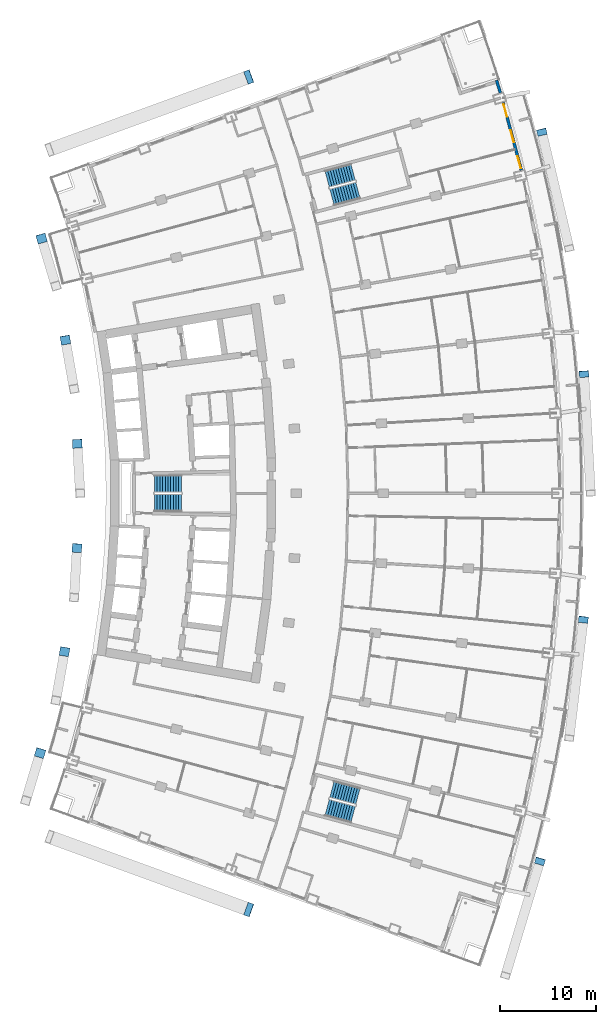
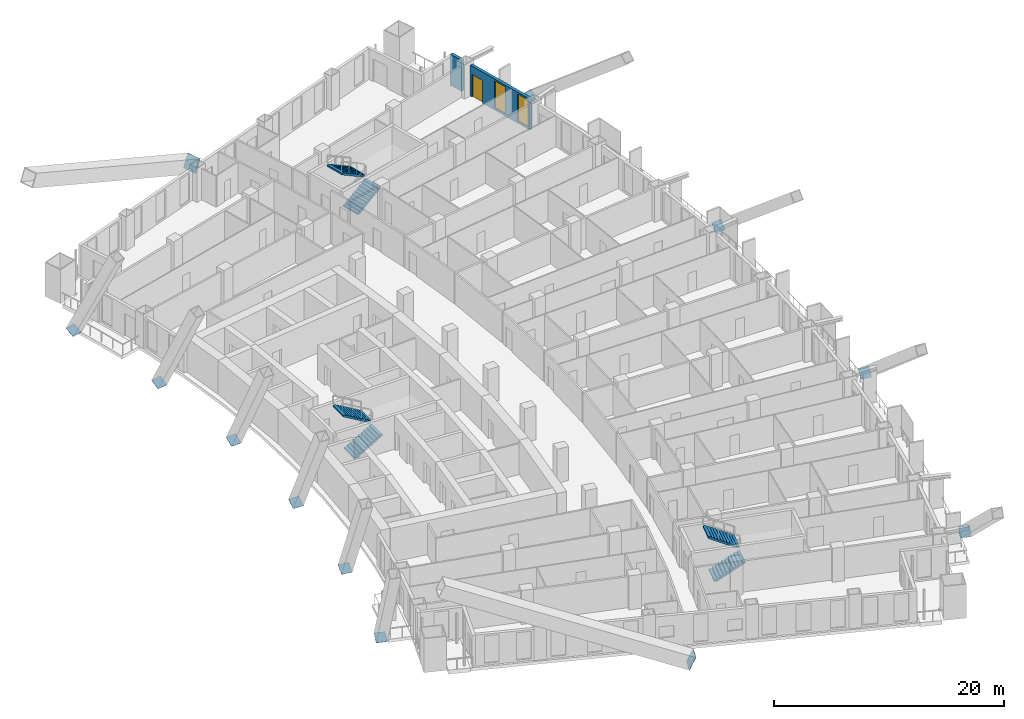
# One storey, part 22 of 25: 12 discrete accessories, 6 stair flights, 2 walls, 2 windows, 1 door, 3 openings, 3 elements without a shape of their own.
"""IFC4 building model written with IfcOpenShell, lengths in metres."""

from ifc_helpers import new_model, si_unit, direction, frame, frame_2d, origin, origin_2d, place, context, subcontext, project, spatial, polyline, rectangle, outline, extrude, material, layer, layer_set, material_profile, profile_set, type_object, element, fill, aggregate, save


model = new_model("IFC4")

# Units and contexts
model_context = context("Model", 3, precision=1e-05, world=origin(), true_north=direction((0.0, 1.0)))
body_context = subcontext(model_context, "Body", "Model", "MODEL_VIEW")
ifc_project = project(units=[si_unit("LENGTHUNIT", "METRE"), si_unit("AREAUNIT", "SQUARE_METRE"), si_unit("VOLUMEUNIT", "CUBIC_METRE"), si_unit("PLANEANGLEUNIT", "RADIAN"), si_unit("MASSUNIT", "GRAM", prefix="KILO")], contexts=[model_context])

# Site, building, storey
site_placement = place(None, origin())
site = spatial("IfcSite", under=ifc_project, at=site_placement, CompositionType="ELEMENT")
building_placement = place(site_placement, origin())
building = spatial("IfcBuilding", under=site, at=building_placement, Name="Alderwake Tower", CompositionType="ELEMENT")
storey_placement = place(building_placement, frame((0.0, 0.0, 42.800048828125)))
storey = spatial("IfcBuildingStorey", under=building, at=storey_placement, Name="L09", CompositionType="ELEMENT", Elevation=42.800048828125)

# Wall, openings, door, windows
ifc_material_1 = material(Name="Precast concrete C50/60 spandrel panel", Category="concrete")
ifc_layer_1 = layer(ifc_material_1, 0.300048828125)
ifc_layer_set_1 = layer_set([ifc_layer_1], Name="External wall EW1 Precast concrete C50/60 spandrel")
wall_type = type_object("IfcWallType", Name="External wall EW1 Precast concrete C50/60 spandrel", PredefinedType="SOLIDWALL", material=ifc_layer_set_1)
wall_1_placement = place(storey_placement, frame((59.23193359375, 94.629150390625, 0.0), z_axis=(0.0, 0.0, 1.0), x_axis=(-0.259482096381, 0.965747918278, 0.0)))
wall_1 = element("IfcWall", 1, at=wall_1_placement, inside=storey, type_object=wall_type, Name="External wall 21", PredefinedType="SOLIDWALL", context=body_context, shape_type="SweptSolid", body=[
    extrude(rectangle(XDim=7.305908203125, YDim=0.300048828125, at=frame_2d((3.65283203125, 0.0))), origin(), (0.0, 0.0, 1.0), 3.280029296875),
])
opening_1_placement = place(wall_1_placement, frame((0.222900390625, 0.0, 0.199951171875)))
opening_1 = element("IfcOpeningElement", 2, at=opening_1_placement, cuts=wall_1, Name="Opening W1", PredefinedType="OPENING", context=body_context, shape_type="SweptSolid", body=[
    extrude(rectangle(XDim=1.300048828125, YDim=2.89990234375, at=frame_2d((0.64990234375, 1.449951171875))), frame((0.0, 0.159912109375, 0.0), z_axis=(0.0, -1.0, 0.0), x_axis=(1.0, 0.0, 0.0)), (0.0, 0.0, 1.0), 0.320068359375),
])
opening_2_placement = place(wall_1_placement, frame((3.0029296875, 0.0, 0.199951171875)))
opening_2 = element("IfcOpeningElement", 3, at=opening_2_placement, cuts=wall_1, Name="Opening W1", PredefinedType="OPENING", context=body_context, shape_type="SweptSolid", body=[
    extrude(rectangle(XDim=1.300048828125, YDim=2.89990234375, at=frame_2d((0.64990234375, 1.449951171875))), frame((0.0, 0.159912109375, 0.0), z_axis=(0.0, -1.0, 0.0), x_axis=(1.0, 0.0, 0.0)), (0.0, 0.0, 1.0), 0.320068359375),
])
opening_3_placement = place(wall_1_placement, frame((5.783203125, 0.0, 0.0)))
opening_3 = element("IfcOpeningElement", 4, at=opening_3_placement, cuts=wall_1, Name="Opening D12", PredefinedType="OPENING", context=body_context, shape_type="SweptSolid", body=[
    extrude(rectangle(XDim=1.300048828125, YDim=2.39990234375, at=frame_2d((0.64990234375, 1.199951171875))), frame((0.0, 0.159912109375, 0.0), z_axis=(0.0, -1.0, 0.0), x_axis=(1.0, 0.0, 0.0)), (0.0, 0.0, 1.0), 0.320068359375),
])
ifc_material_2 = material(Name="Bronze tinted glass in aluminium frame", Category="aluminium")
door_type = type_object("IfcDoorType", Name="Balcony door BD sliding", OperationType="SLIDING_TO_LEFT", PredefinedType="DOOR", material=ifc_material_2)
door_placement = place(opening_3_placement, origin())
door = element("IfcDoor", 5, at=door_placement, inside=storey, type_object=door_type, Name="Door D12", OperationType="SLIDING_TO_LEFT", OverallHeight=2.39990234375, OverallWidth=1.300048828125, PredefinedType="DOOR", context=body_context, shape_type="SweptSolid", body=[
    extrude(rectangle(XDim=1.300048828125, YDim=2.39990234375, at=frame_2d((0.64990234375, 1.199951171875))), frame((0.0, 0.02490234375, 0.0), z_axis=(0.0, -1.0, 0.0), x_axis=(1.0, 0.0, 0.0)), (0.0, 0.0, 1.0), 0.050048828125),
])
fill(opening_3, door)
ifc_material_3 = material(Name="Bronze tinted glass in aluminium frame", Category="aluminium")
window_type = type_object("IfcWindowType", Name="Window W1 tall fixed and vent", PartitioningType="DOUBLE_PANEL_VERTICAL", PredefinedType="WINDOW", material=ifc_material_3)
window_1_placement = place(opening_1_placement, origin())
window_1 = element("IfcWindow", 6, at=window_1_placement, inside=storey, type_object=window_type, Name="Window W1 tall fixed and vent", OverallHeight=2.89990234375, OverallWidth=1.300048828125, PartitioningType="DOUBLE_PANEL_VERTICAL", PredefinedType="WINDOW", context=body_context, shape_type="SweptSolid", body=[
    extrude(rectangle(XDim=1.300048828125, YDim=2.89990234375, at=frame_2d((0.64990234375, 1.449951171875))), frame((0.0, 0.030029296875, 0.0), z_axis=(0.0, -1.0, 0.0), x_axis=(1.0, 0.0, 0.0)), (0.0, 0.0, 1.0), 0.06005859375),
])
fill(opening_1, window_1)
window_2_placement = place(opening_2_placement, origin())
window_2 = element("IfcWindow", 7, at=window_2_placement, inside=storey, type_object=window_type, Name="Window W1 tall fixed and vent", OverallHeight=2.89990234375, OverallWidth=1.300048828125, PartitioningType="DOUBLE_PANEL_VERTICAL", PredefinedType="WINDOW", context=body_context, shape_type="SweptSolid", body=[
    extrude(rectangle(XDim=1.300048828125, YDim=2.89990234375, at=frame_2d((0.64990234375, 1.449951171875))), frame((0.0, 0.030029296875, 0.0), z_axis=(0.0, -1.0, 0.0), x_axis=(1.0, 0.0, 0.0)), (0.0, 0.0, 1.0), 0.06005859375),
])
fill(opening_2, window_2)

# Wall
wall_2_placement = place(storey_placement, frame((57.05078125, 102.67529296875, 0.0), z_axis=(0.0, 0.0, 1.0), x_axis=(-0.294532511954, 0.95564145965, 0.0)))
element("IfcWall", 8, at=wall_2_placement, inside=storey, type_object=wall_type, Name="External wall 22", PredefinedType="SOLIDWALL", context=body_context, shape_type="SweptSolid", body=[
    extrude(rectangle(XDim=1.382568359375, YDim=0.300048828125, at=frame_2d((0.69140625, 0.0))), origin(), (0.0, 0.0, 1.0), 3.280029296875),
])

# Stair, stair flights
ifc_material_4 = material(Name="Concrete C40/50", Category="concrete")
stair_type = type_object("IfcStairType", Name="Core exit stair", PredefinedType="HALF_TURN_STAIR", material=ifc_material_4)
stair_1_placement = place(storey_placement, origin())
stair_1 = element("IfcStair", 9, at=stair_1_placement, inside=storey, type_object=stair_type, Name="L09 Exit Stair B", PredefinedType="HALF_TURN_STAIR")
ifc_material_5 = material(Name="Concrete C40/50", Category="concrete")
ifc_layer_2 = layer(ifc_material_5, 0.14990234375)
ifc_layer_set_2 = layer_set([ifc_layer_2], Name="Core stair flight")
stair_flight_type = type_object("IfcStairFlightType", Name="Core stair flight", PredefinedType="STRAIGHT", material=ifc_layer_set_2)
stair_flight_1_placement = place(storey_placement, frame((21.0400390625, 60.02490234375, 0.0), z_axis=(0.0, 0.0, 1.0), x_axis=(1.0, 0.0, 0.0)))
stair_flight_1 = element("IfcStairFlight", 10, at=stair_flight_1_placement, type_object=stair_flight_type, Name="ST-B flight 1", NumberOfRisers=11, NumberOfTreads=10, PredefinedType="STRAIGHT", RiserHeight=0.163636364, TreadLength=0.28, context=body_context, shape_type="SweptSolid", body=[
    extrude(outline(polyline([(0.0, 0.0), (0.0, 0.16357421875), (0.280029296875, 0.16357421875), (0.280029296875, 0.327392578125), (0.56005859375, 0.327392578125), (0.56005859375, 0.490966796875), (0.840087890625, 0.490966796875), (0.840087890625, 0.654541015625), (1.1201171875, 0.654541015625), (1.1201171875, 0.818115234375), (1.39990234375, 0.818115234375), (1.39990234375, 0.98193359375), (1.679931640625, 0.98193359375), (1.679931640625, 1.1455078125), (1.9599609375, 1.1455078125), (1.9599609375, 1.30908203125), (2.239990234375, 1.30908203125), (2.239990234375, 1.47265625), (2.52001953125, 1.47265625), (2.52001953125, 1.636474609375), (2.800048828125, 1.636474609375), (2.800048828125, 1.800048828125), (2.800048828125, 1.462646484375), (0.297119140625, 0.0), (0.0, 0.0)])), frame((0.0, 0.89990234375, 0.0), z_axis=(0.0, -1.0, 0.0), x_axis=(1.0, 0.0, 0.0)), (0.0, 0.0, 1.0), 1.800048828125),
])
stair_flight_2_placement = place(storey_placement, frame((23.840087890625, 61.97509765625, 1.800048828125), z_axis=(0.0, 0.0, 1.0), x_axis=(-1.0, 0.0, 0.0)))
stair_flight_2 = element("IfcStairFlight", 11, at=stair_flight_2_placement, type_object=stair_flight_type, Name="ST-B flight 2", NumberOfRisers=11, NumberOfTreads=10, PredefinedType="STRAIGHT", RiserHeight=0.163636364, TreadLength=0.28, context=body_context, shape_type="SweptSolid", body=[
    extrude(outline(polyline([(0.0, 0.0), (0.0, 0.16357421875), (0.280029296875, 0.16357421875), (0.280029296875, 0.327392578125), (0.56005859375, 0.327392578125), (0.56005859375, 0.490966796875), (0.840087890625, 0.490966796875), (0.840087890625, 0.654541015625), (1.1201171875, 0.654541015625), (1.1201171875, 0.818115234375), (1.39990234375, 0.818115234375), (1.39990234375, 0.98193359375), (1.679931640625, 0.98193359375), (1.679931640625, 1.1455078125), (1.9599609375, 1.1455078125), (1.9599609375, 1.30908203125), (2.239990234375, 1.30908203125), (2.239990234375, 1.47265625), (2.52001953125, 1.47265625), (2.52001953125, 1.636474609375), (2.800048828125, 1.636474609375), (2.800048828125, 1.800048828125), (2.800048828125, 1.462646484375), (0.297119140625, 0.0), (0.0, 0.0)])), frame((0.0, 0.89990234375, 0.0), z_axis=(0.0, -1.0, 0.0), x_axis=(1.0, 0.0, 0.0)), (0.0, 0.0, 1.0), 1.800048828125),
])
aggregate(stair_1, [stair_flight_1, stair_flight_2])

stair_2_placement = place(storey_placement, origin())
stair_2 = element("IfcStair", 12, at=stair_2_placement, inside=storey, type_object=stair_type, Name="L09 Exit Stair A", PredefinedType="HALF_TURN_STAIR")
stair_flight_3_placement = place(storey_placement, frame((39.512939453125, 91.823974609375, 0.0), z_axis=(0.0, 0.0, 1.0), x_axis=(0.966309627437, 0.257382407951, 0.0)))
stair_flight_3 = element("IfcStairFlight", 13, at=stair_flight_3_placement, type_object=stair_flight_type, Name="ST-A flight 1", NumberOfRisers=11, NumberOfTreads=10, PredefinedType="STRAIGHT", RiserHeight=0.163636364, TreadLength=0.28, context=body_context, shape_type="SweptSolid", body=[
    extrude(outline(polyline([(0.0, 0.0), (0.0, 0.16357421875), (0.280029296875, 0.16357421875), (0.280029296875, 0.327392578125), (0.56005859375, 0.327392578125), (0.56005859375, 0.490966796875), (0.840087890625, 0.490966796875), (0.840087890625, 0.654541015625), (1.1201171875, 0.654541015625), (1.1201171875, 0.818115234375), (1.39990234375, 0.818115234375), (1.39990234375, 0.98193359375), (1.679931640625, 0.98193359375), (1.679931640625, 1.1455078125), (1.9599609375, 1.1455078125), (1.9599609375, 1.30908203125), (2.239990234375, 1.30908203125), (2.239990234375, 1.47265625), (2.52001953125, 1.47265625), (2.52001953125, 1.636474609375), (2.800048828125, 1.636474609375), (2.800048828125, 1.800048828125), (2.800048828125, 1.462646484375), (0.297119140625, 0.0), (0.0, 0.0)])), frame((0.0, 0.89990234375, 0.0), z_axis=(0.0, -1.0, 0.0), x_axis=(1.0, 0.0, 0.0)), (0.0, 0.0, 1.0), 1.800048828125),
])
stair_flight_4_placement = place(storey_placement, frame((41.716796875, 94.428955078125, 1.800048828125), z_axis=(0.0, 0.0, 1.0), x_axis=(-0.966309627437, -0.257382407951, 0.0)))
stair_flight_4 = element("IfcStairFlight", 14, at=stair_flight_4_placement, type_object=stair_flight_type, Name="ST-A flight 2", NumberOfRisers=11, NumberOfTreads=10, PredefinedType="STRAIGHT", RiserHeight=0.163636364, TreadLength=0.28, context=body_context, shape_type="SweptSolid", body=[
    extrude(outline(polyline([(0.0, 0.0), (0.0, 0.16357421875), (0.280029296875, 0.16357421875), (0.280029296875, 0.327392578125), (0.56005859375, 0.327392578125), (0.56005859375, 0.490966796875), (0.840087890625, 0.490966796875), (0.840087890625, 0.654541015625), (1.1201171875, 0.654541015625), (1.1201171875, 0.818115234375), (1.39990234375, 0.818115234375), (1.39990234375, 0.98193359375), (1.679931640625, 0.98193359375), (1.679931640625, 1.1455078125), (1.9599609375, 1.1455078125), (1.9599609375, 1.30908203125), (2.239990234375, 1.30908203125), (2.239990234375, 1.47265625), (2.52001953125, 1.47265625), (2.52001953125, 1.636474609375), (2.800048828125, 1.636474609375), (2.800048828125, 1.800048828125), (2.800048828125, 1.462646484375), (0.297119140625, 0.0), (0.0, 0.0)])), frame((0.0, 0.89990234375, 0.0), z_axis=(0.0, -1.0, 0.0), x_axis=(1.0, 0.0, 0.0)), (0.0, 0.0, 1.0), 1.800048828125),
])
aggregate(stair_2, [stair_flight_3, stair_flight_4])

stair_3_placement = place(storey_placement, origin())
stair_3 = element("IfcStair", 15, at=stair_3_placement, inside=storey, type_object=stair_type, Name="L09 Exit Stair C", PredefinedType="HALF_TURN_STAIR")
stair_flight_5_placement = place(storey_placement, frame((39.010986328125, 28.291748046875, 0.0), z_axis=(0.0, 0.0, 1.0), x_axis=(0.966309627437, -0.257382407951, 0.0)))
stair_flight_5 = element("IfcStairFlight", 16, at=stair_flight_5_placement, type_object=stair_flight_type, Name="ST-C flight 1", NumberOfRisers=11, NumberOfTreads=10, PredefinedType="STRAIGHT", RiserHeight=0.163636364, TreadLength=0.28, context=body_context, shape_type="SweptSolid", body=[
    extrude(outline(polyline([(0.0, 0.0), (0.0, 0.16357421875), (0.280029296875, 0.16357421875), (0.280029296875, 0.327392578125), (0.56005859375, 0.327392578125), (0.56005859375, 0.490966796875), (0.840087890625, 0.490966796875), (0.840087890625, 0.654541015625), (1.1201171875, 0.654541015625), (1.1201171875, 0.818115234375), (1.39990234375, 0.818115234375), (1.39990234375, 0.98193359375), (1.679931640625, 0.98193359375), (1.679931640625, 1.1455078125), (1.9599609375, 1.1455078125), (1.9599609375, 1.30908203125), (2.239990234375, 1.30908203125), (2.239990234375, 1.47265625), (2.52001953125, 1.47265625), (2.52001953125, 1.636474609375), (2.800048828125, 1.636474609375), (2.800048828125, 1.800048828125), (2.800048828125, 1.462646484375), (0.297119140625, 0.0), (0.0, 0.0)])), frame((0.0, 0.89990234375, 0.0), z_axis=(0.0, -1.0, 0.0), x_axis=(1.0, 0.0, 0.0)), (0.0, 0.0, 1.0), 1.800048828125),
])
stair_flight_6_placement = place(storey_placement, frame((42.218505859375, 29.455322265625, 1.800048828125), z_axis=(0.0, 0.0, 1.0), x_axis=(-0.966309627437, 0.257382407951, 0.0)))
stair_flight_6 = element("IfcStairFlight", 17, at=stair_flight_6_placement, type_object=stair_flight_type, Name="ST-C flight 2", NumberOfRisers=11, NumberOfTreads=10, PredefinedType="STRAIGHT", RiserHeight=0.163636364, TreadLength=0.28, context=body_context, shape_type="SweptSolid", body=[
    extrude(outline(polyline([(0.0, 0.0), (0.0, 0.16357421875), (0.280029296875, 0.16357421875), (0.280029296875, 0.327392578125), (0.56005859375, 0.327392578125), (0.56005859375, 0.490966796875), (0.840087890625, 0.490966796875), (0.840087890625, 0.654541015625), (1.1201171875, 0.654541015625), (1.1201171875, 0.818115234375), (1.39990234375, 0.818115234375), (1.39990234375, 0.98193359375), (1.679931640625, 0.98193359375), (1.679931640625, 1.1455078125), (1.9599609375, 1.1455078125), (1.9599609375, 1.30908203125), (2.239990234375, 1.30908203125), (2.239990234375, 1.47265625), (2.52001953125, 1.47265625), (2.52001953125, 1.636474609375), (2.800048828125, 1.636474609375), (2.800048828125, 1.800048828125), (2.800048828125, 1.462646484375), (0.297119140625, 0.0), (0.0, 0.0)])), frame((0.0, 0.89990234375, 0.0), z_axis=(0.0, -1.0, 0.0), x_axis=(1.0, 0.0, 0.0)), (0.0, 0.0, 1.0), 1.800048828125),
])
aggregate(stair_3, [stair_flight_5, stair_flight_6])

# Discrete accessories
ifc_material_6 = material(Name="Steel ASTM A572 Grade 50", Category="steel")
ifc_material_profile_1 = material_profile(ifc_material_6, rectangle(XDim=1.0, YDim=1.0, at=origin_2d()), Name="BOX 1000X1000X60 cap")
ifc_profile_set_1 = profile_set([ifc_material_profile_1], Name="Steel ASTM A572 Grade 50")
discrete_accessory_type_1 = type_object("IfcDiscreteAccessoryType", Name="End cap plate BOX 1000X1000X60", PredefinedType="USERDEFINED", material=ifc_profile_set_1)
for number, where, z_axis, x_axis, name in (
    (18, (61.162841796875, 22.666259765625, 0.357177734375), (0.219941477406, 0.733138258022, -0.64353247093), (-0.957826285221, 0.287347885566, 0.0), "End cap BRF1.1.1B2 X"),
    (19, (65.680908203125, 47.829345703125, 0.357177734375), (0.089227652055, 0.762490844836, -0.640816773852), (-0.993222539321, 0.116228169495, 0.0), "End cap BRF1.1.4B2 X"),
    (20, (65.7490234375, 73.394775390625, 0.357177734375), (-0.040686728542, 0.764910496598, -0.642850310971), (-0.998588327595, -0.053116400404, 0.0), "End cap BRF1.1.7B2 X"),
    (21, (61.364990234375, 98.58154296875, 0.357177734375), (-0.178508166705, 0.74648869713, -0.641006598622), (-0.972578891654, -0.232573213222, 0.0), "End cap BRF1.1.10B2 X"),
    (22, (9.126708984375, 33.947998046875, 0.55810546875), (0.129926809902, 0.430382557802, -0.893246818079), (-0.957327710787, 0.289004591936, 0.0), "End cap BRR1.1.1B2 X"),
    (23, (11.669921875, 44.506591796875, 0.55810546875), (0.073248237966, 0.439489427795, -0.895256241805), (-0.986393923832, 0.164398987305, 0.0), "End cap BRR1.1.3B2 X"),
    (24, (12.966552734375, 55.289306640625, 0.55810546875), (0.024386214522, 0.447080599566, -0.894161199132), (-0.998515707931, 0.05446449316, 0.0), "End cap BRR1.1.5B2 X"),
    (25, (12.999267578125, 66.1494140625, 0.55810546875), (-0.024297273391, 0.453549103308, -0.890900024354), (-0.99856813227, -0.053494721372, 0.0), "End cap BRR1.1.7B2 X"),
    (26, (11.767578125, 76.939697265625, 0.55810546875), (-0.072985235949, 0.446020886357, -0.892041772714), (-0.986874582898, -0.161488568111, 0.0), "End cap BRR1.1.9B2 X"),
    (27, (9.288330078125, 87.513427734375, 0.55810546875), (-0.121931072609, 0.430823123218, -0.894161199132), (-0.962206045824, -0.272322465799, 0.0), "End cap BRR1.1.11B2 X"),
):
    element("IfcDiscreteAccessory", number, at=place(storey_placement, frame(where, z_axis=z_axis, x_axis=x_axis)), inside=storey, type_object=discrete_accessory_type_1, Name=name, ObjectType="END CAP", PredefinedType="USERDEFINED", context=body_context, shape_type="SweptSolid", body=[
        extrude(rectangle(XDim=1.0, YDim=1.0, at=origin_2d()), origin(), (0.0, 0.0, 1.0), 0.030029296875),
    ])
ifc_material_7 = material(Name="Steel ASTM A572 Grade 50", Category="steel")
ifc_material_profile_2 = material_profile(ifc_material_7, rectangle(XDim=1.39990234375, YDim=1.39990234375, at=origin_2d()), Name="BOX 1400X1400X80 cap")
ifc_profile_set_2 = profile_set([ifc_material_profile_2], Name="Steel ASTM A572 Grade 50")
discrete_accessory_type_2 = type_object("IfcDiscreteAccessoryType", Name="End cap plate BOX 1400X1400X80", PredefinedType="USERDEFINED", material=ifc_profile_set_2)
for number, where, z_axis, x_axis, name in (
    (28, (30.83740234375, 17.6669921875, 0.478515625), (0.850177269752, -0.310641694717, -0.425088634876), (0.343192952924, 0.939264923791, 0.0), "End cap BRS1.1.0B2 X"),
    (29, (30.83740234375, 104.3330078125, 0.478515625), (0.850177269752, 0.310641694717, -0.425088634876), (-0.343192952924, 0.939264923791, 0.0), "End cap BRN1.1.0B2 X"),
):
    element("IfcDiscreteAccessory", number, at=place(storey_placement, frame(where, z_axis=z_axis, x_axis=x_axis)), inside=storey, type_object=discrete_accessory_type_2, Name=name, ObjectType="END CAP", PredefinedType="USERDEFINED", context=body_context, shape_type="SweptSolid", body=[
        extrude(rectangle(XDim=1.39990234375, YDim=1.39990234375, at=origin_2d()), origin(), (0.0, 0.0, 1.0), 0.02978515625),
    ])

save(model, "model.ifc")
